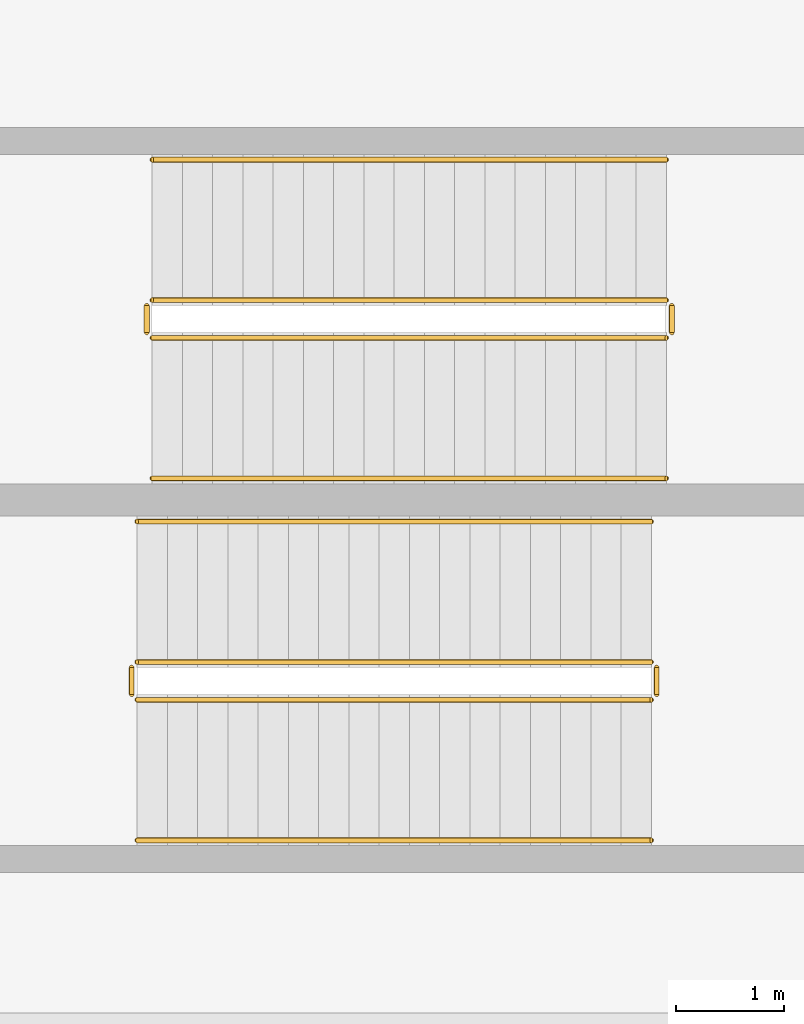
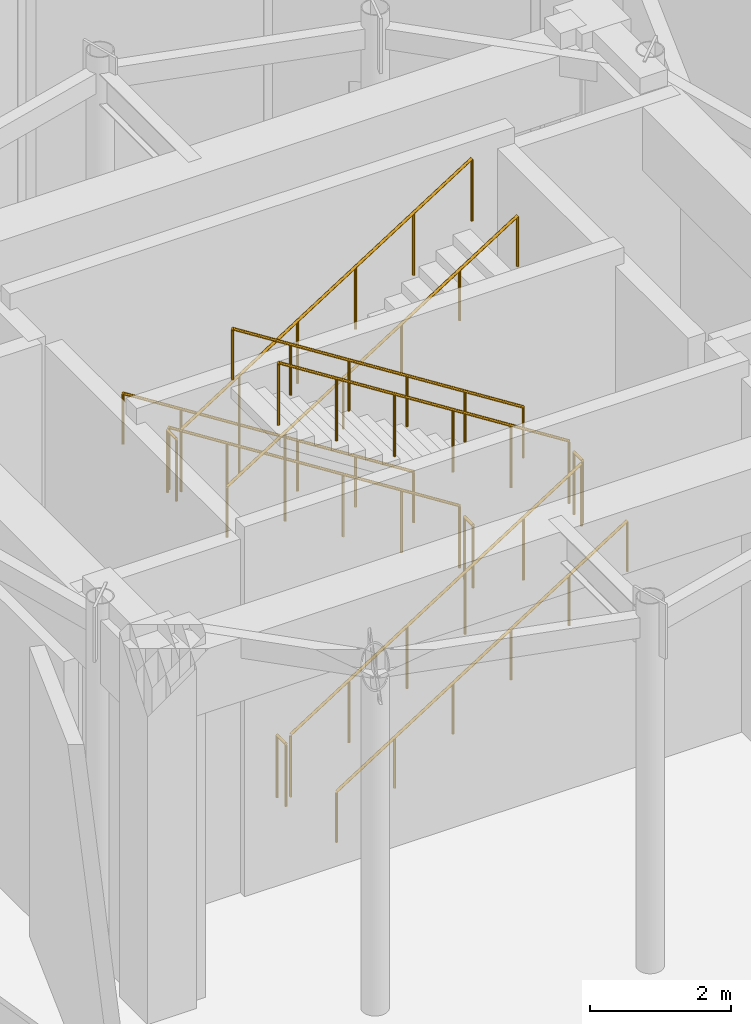
# One storey, part 9 of 9: 12 railings.
"""IFC4 building model written with IfcOpenShell, lengths in metres."""

from ifc_helpers import new_model, si_unit, direction, frame, origin, origin_2d, place, context, subcontext, project, spatial, circle, extrude, material, type_object, element, save


model = new_model("IFC4")

# Units and contexts
model_context = context("Model", 3, precision=1e-05, world=origin(), true_north=direction((0.0, 1.0)))
body_context = subcontext(model_context, "Body", "Model", "MODEL_VIEW")
ifc_project = project(units=[si_unit("LENGTHUNIT", "METRE"), si_unit("AREAUNIT", "SQUARE_METRE"), si_unit("VOLUMEUNIT", "CUBIC_METRE"), si_unit("PLANEANGLEUNIT", "RADIAN"), si_unit("MASSUNIT", "GRAM", prefix="KILO")], contexts=[model_context])

# Site, building, storey
site_placement = place(None, origin())
site = spatial("IfcSite", under=ifc_project, at=site_placement, CompositionType="ELEMENT")
building_placement = place(site_placement, origin())
building = spatial("IfcBuilding", under=site, at=building_placement, Name="Solvirekh Grand Hotel", CompositionType="ELEMENT")
storey_placement = place(building_placement, frame((0.0, 0.0, 314.60009765625)))
storey = spatial("IfcBuildingStorey", under=building, at=storey_placement, Name="L80", CompositionType="ELEMENT", Elevation=314.60009765625)

# Railings
ifc_material_1 = material(Name="Steel S355", Category="steel")
railing_type_1 = type_object("IfcRailingType", Name="Guard_Stair_1100", PredefinedType="GUARDRAIL", material=ifc_material_1)
railing_1_placement = place(storey_placement, frame((-2.449951171875, -1.85009765625, 0.177734375)))
element("IfcRailing", 1, at=railing_1_placement, inside=storey, type_object=railing_type_1, Name="L80 ST-1 stair guard 1", PredefinedType="GUARDRAIL", context=body_context, shape_type="SweptSolid", body=[
    extrude(circle(Radius=0.02392578125, at=origin_2d()), frame((0.0, 0.0, 1.076171875), z_axis=(0.844213748262, 0.0, 0.536006667166), x_axis=(0.0, 1.0, 0.0)), (0.0, 0.0, 1.0), 5.638427734375),
    extrude(circle(Radius=0.02099609375, at=origin_2d()), origin(), (0.0, 0.0, 1.0), 1.052001953125),
    extrude(circle(Radius=0.02099609375, at=origin_2d()), frame((0.951904296875, 0.0, 0.6044921875)), (0.0, 0.0, 1.0), 1.052001953125),
    extrude(circle(Radius=0.02099609375, at=origin_2d()), frame((1.904052734375, 0.0, 1.208984375)), (0.0, 0.0, 1.0), 1.052001953125),
    extrude(circle(Radius=0.02099609375, at=origin_2d()), frame((2.85595703125, 0.0, 1.813232421875)), (0.0, 0.0, 1.0), 1.052001953125),
    extrude(circle(Radius=0.02099609375, at=origin_2d()), frame((3.80810546875, 0.0, 2.417724609375)), (0.0, 0.0, 1.0), 1.052001953125),
    extrude(circle(Radius=0.02099609375, at=origin_2d()), frame((4.760009765625, 0.0, 3.022216796875)), (0.0, 0.0, 1.0), 1.052001953125),
])
railing_2_placement = place(storey_placement, frame((2.360107421875, -1.800048828125, 3.199951171875)))
element("IfcRailing", 2, at=railing_2_placement, inside=storey, type_object=railing_type_1, Name="L80 ST-1 stair guard 2", PredefinedType="GUARDRAIL", context=body_context, shape_type="SweptSolid", body=[
    extrude(circle(Radius=0.02392578125, at=origin_2d()), frame((0.0, 0.0, 1.076171875), z_axis=(0.0, 1.0, 0.0), x_axis=(-1.0, 0.0, 0.0)), (0.0, 0.0, 1.0), 0.25),
    extrude(circle(Radius=0.02099609375, at=origin_2d()), origin(), (0.0, 0.0, 1.0), 1.052001953125),
    extrude(circle(Radius=0.02099609375, at=origin_2d()), frame((0.0, 0.25, 0.0)), (0.0, 0.0, 1.0), 1.052001953125),
])
railing_3_placement = place(storey_placement, frame((2.31005859375, -1.5, 3.377685546875)))
element("IfcRailing", 3, at=railing_3_placement, inside=storey, type_object=railing_type_1, Name="L80 ST-1 stair guard 3", PredefinedType="GUARDRAIL", context=body_context, shape_type="SweptSolid", body=[
    extrude(circle(Radius=0.02392578125, at=origin_2d()), frame((0.0, 0.0, 1.076171875), z_axis=(-0.844213748262, 0.0, 0.536006667166), x_axis=(0.0, -1.0, 0.0)), (0.0, 0.0, 1.0), 5.638427734375),
    extrude(circle(Radius=0.02099609375, at=origin_2d()), origin(), (0.0, 0.0, 1.0), 1.052001953125),
    extrude(circle(Radius=0.02099609375, at=origin_2d()), frame((-0.951904296875, 0.0, 0.6044921875)), (0.0, 0.0, 1.0), 1.052001953125),
    extrude(circle(Radius=0.02099609375, at=origin_2d()), frame((-1.904052734375, 0.0, 1.208984375)), (0.0, 0.0, 1.0), 1.052001953125),
    extrude(circle(Radius=0.02099609375, at=origin_2d()), frame((-2.85595703125, 0.0, 1.813232421875)), (0.0, 0.0, 1.0), 1.052001953125),
    extrude(circle(Radius=0.02099609375, at=origin_2d()), frame((-3.80810546875, 0.0, 2.417724609375)), (0.0, 0.0, 1.0), 1.052001953125),
    extrude(circle(Radius=0.02099609375, at=origin_2d()), frame((-4.760009765625, 0.0, 3.022216796875)), (0.0, 0.0, 1.0), 1.052001953125),
])
railing_4_placement = place(storey_placement, frame((-2.5, -1.800048828125, 0.0)))
element("IfcRailing", 4, at=railing_4_placement, inside=storey, type_object=railing_type_1, Name="L80 ST-1 stair guard 4", PredefinedType="GUARDRAIL", context=body_context, shape_type="SweptSolid", body=[
    extrude(circle(Radius=0.02392578125, at=origin_2d()), frame((0.0, 0.0, 1.076171875), z_axis=(0.0, 1.0, 0.0), x_axis=(-1.0, 0.0, 0.0)), (0.0, 0.0, 1.0), 0.25),
    extrude(circle(Radius=0.02099609375, at=origin_2d()), origin(), (0.0, 0.0, 1.0), 1.052001953125),
    extrude(circle(Radius=0.02099609375, at=origin_2d()), frame((0.0, 0.25, 0.0)), (0.0, 0.0, 1.0), 1.052001953125),
])
railing_5_placement = place(storey_placement, frame((2.449951171875, 1.85009765625, 0.177734375)))
element("IfcRailing", 5, at=railing_5_placement, inside=storey, type_object=railing_type_1, Name="L80 ST-2 stair guard 1", PredefinedType="GUARDRAIL", context=body_context, shape_type="SweptSolid", body=[
    extrude(circle(Radius=0.02392578125, at=origin_2d()), frame((0.0, 0.0, 1.076171875), z_axis=(-0.844213748262, 0.0, 0.536006667166), x_axis=(0.0, -1.0, 0.0)), (0.0, 0.0, 1.0), 5.638427734375),
    extrude(circle(Radius=0.02099609375, at=origin_2d()), origin(), (0.0, 0.0, 1.0), 1.052001953125),
    extrude(circle(Radius=0.02099609375, at=origin_2d()), frame((-0.951904296875, 0.0, 0.6044921875)), (0.0, 0.0, 1.0), 1.052001953125),
    extrude(circle(Radius=0.02099609375, at=origin_2d()), frame((-1.904052734375, 0.0, 1.208984375)), (0.0, 0.0, 1.0), 1.052001953125),
    extrude(circle(Radius=0.02099609375, at=origin_2d()), frame((-2.85595703125, 0.0, 1.813232421875)), (0.0, 0.0, 1.0), 1.052001953125),
    extrude(circle(Radius=0.02099609375, at=origin_2d()), frame((-3.80810546875, 0.0, 2.417724609375)), (0.0, 0.0, 1.0), 1.052001953125),
    extrude(circle(Radius=0.02099609375, at=origin_2d()), frame((-4.760009765625, 0.0, 3.022216796875)), (0.0, 0.0, 1.0), 1.052001953125),
])
railing_6_placement = place(storey_placement, frame((-2.360107421875, 1.800048828125, 3.199951171875)))
element("IfcRailing", 6, at=railing_6_placement, inside=storey, type_object=railing_type_1, Name="L80 ST-2 stair guard 2", PredefinedType="GUARDRAIL", context=body_context, shape_type="SweptSolid", body=[
    extrude(circle(Radius=0.02392578125, at=origin_2d()), frame((0.0, 0.0, 1.076171875), z_axis=(0.0, -1.0, 0.0), x_axis=(1.0, 0.0, 0.0)), (0.0, 0.0, 1.0), 0.25),
    extrude(circle(Radius=0.02099609375, at=origin_2d()), origin(), (0.0, 0.0, 1.0), 1.052001953125),
    extrude(circle(Radius=0.02099609375, at=origin_2d()), frame((0.0, -0.25, 0.0)), (0.0, 0.0, 1.0), 1.052001953125),
])
railing_7_placement = place(storey_placement, frame((-2.31005859375, 1.5, 3.377685546875)))
element("IfcRailing", 7, at=railing_7_placement, inside=storey, type_object=railing_type_1, Name="L80 ST-2 stair guard 3", PredefinedType="GUARDRAIL", context=body_context, shape_type="SweptSolid", body=[
    extrude(circle(Radius=0.02392578125, at=origin_2d()), frame((0.0, 0.0, 1.076171875), z_axis=(0.844213748262, 0.0, 0.536006667166), x_axis=(0.0, 1.0, 0.0)), (0.0, 0.0, 1.0), 5.638427734375),
    extrude(circle(Radius=0.02099609375, at=origin_2d()), origin(), (0.0, 0.0, 1.0), 1.052001953125),
    extrude(circle(Radius=0.02099609375, at=origin_2d()), frame((0.951904296875, 0.0, 0.6044921875)), (0.0, 0.0, 1.0), 1.052001953125),
    extrude(circle(Radius=0.02099609375, at=origin_2d()), frame((1.904052734375, 0.0, 1.208984375)), (0.0, 0.0, 1.0), 1.052001953125),
    extrude(circle(Radius=0.02099609375, at=origin_2d()), frame((2.85595703125, 0.0, 1.813232421875)), (0.0, 0.0, 1.0), 1.052001953125),
    extrude(circle(Radius=0.02099609375, at=origin_2d()), frame((3.80810546875, 0.0, 2.417724609375)), (0.0, 0.0, 1.0), 1.052001953125),
    extrude(circle(Radius=0.02099609375, at=origin_2d()), frame((4.760009765625, 0.0, 3.022216796875)), (0.0, 0.0, 1.0), 1.052001953125),
])
railing_8_placement = place(storey_placement, frame((2.5, 1.800048828125, 0.0)))
element("IfcRailing", 8, at=railing_8_placement, inside=storey, type_object=railing_type_1, Name="L80 ST-2 stair guard 4", PredefinedType="GUARDRAIL", context=body_context, shape_type="SweptSolid", body=[
    extrude(circle(Radius=0.02392578125, at=origin_2d()), frame((0.0, 0.0, 1.076171875), z_axis=(0.0, -1.0, 0.0), x_axis=(1.0, 0.0, 0.0)), (0.0, 0.0, 1.0), 0.25),
    extrude(circle(Radius=0.02099609375, at=origin_2d()), origin(), (0.0, 0.0, 1.0), 1.052001953125),
    extrude(circle(Radius=0.02099609375, at=origin_2d()), frame((0.0, -0.25, 0.0)), (0.0, 0.0, 1.0), 1.052001953125),
])
ifc_material_2 = material(Name="Anodized Bronze Aluminium 6063-T6", Category="aluminium")
railing_type_2 = type_object("IfcRailingType", Name="Handrail_Wall_900", PredefinedType="HANDRAIL", material=ifc_material_2)
railing_9_placement = place(storey_placement, frame((-2.449951171875, -3.14990234375, 0.177734375)))
element("IfcRailing", 9, at=railing_9_placement, inside=storey, type_object=railing_type_2, Name="L80 ST-1 stair handrail 1", PredefinedType="HANDRAIL", context=body_context, shape_type="SweptSolid", body=[
    extrude(circle(Radius=0.02392578125, at=origin_2d()), frame((0.0, 0.0, 0.8759765625), z_axis=(0.844213748262, 0.0, 0.536006667166), x_axis=(0.0, 1.0, 0.0)), (0.0, 0.0, 1.0), 5.638427734375),
    extrude(circle(Radius=0.02099609375, at=origin_2d()), origin(), (0.0, 0.0, 1.0), 0.851806640625),
    extrude(circle(Radius=0.02099609375, at=origin_2d()), frame((0.951904296875, 0.0, 0.6044921875)), (0.0, 0.0, 1.0), 0.851806640625),
    extrude(circle(Radius=0.02099609375, at=origin_2d()), frame((1.904052734375, 0.0, 1.208984375)), (0.0, 0.0, 1.0), 0.851806640625),
    extrude(circle(Radius=0.02099609375, at=origin_2d()), frame((2.85595703125, 0.0, 1.813232421875)), (0.0, 0.0, 1.0), 0.851806640625),
    extrude(circle(Radius=0.02099609375, at=origin_2d()), frame((3.80810546875, 0.0, 2.417724609375)), (0.0, 0.0, 1.0), 0.851806640625),
    extrude(circle(Radius=0.02099609375, at=origin_2d()), frame((4.760009765625, 0.0, 3.022216796875)), (0.0, 0.0, 1.0), 0.851806640625),
])
for number, where, name in (
    (10, (2.31005859375, -0.199951171875, 3.377685546875), "L80 ST-1 stair handrail 2"),
    (11, (2.449951171875, 3.14990234375, 0.177734375), "L80 ST-2 stair handrail 1"),
):
    element("IfcRailing", number, at=place(storey_placement, frame(where)), inside=storey, type_object=railing_type_2, Name=name, PredefinedType="HANDRAIL", context=body_context, shape_type="SweptSolid", body=[
        extrude(circle(Radius=0.02392578125, at=origin_2d()), frame((0.0, 0.0, 0.8759765625), z_axis=(-0.844213748262, 0.0, 0.536006667166), x_axis=(0.0, -1.0, 0.0)), (0.0, 0.0, 1.0), 5.638427734375),
        extrude(circle(Radius=0.02099609375, at=origin_2d()), origin(), (0.0, 0.0, 1.0), 0.851806640625),
        extrude(circle(Radius=0.02099609375, at=origin_2d()), frame((-0.951904296875, 0.0, 0.6044921875)), (0.0, 0.0, 1.0), 0.851806640625),
        extrude(circle(Radius=0.02099609375, at=origin_2d()), frame((-1.904052734375, 0.0, 1.208984375)), (0.0, 0.0, 1.0), 0.851806640625),
        extrude(circle(Radius=0.02099609375, at=origin_2d()), frame((-2.85595703125, 0.0, 1.813232421875)), (0.0, 0.0, 1.0), 0.851806640625),
        extrude(circle(Radius=0.02099609375, at=origin_2d()), frame((-3.80810546875, 0.0, 2.417724609375)), (0.0, 0.0, 1.0), 0.851806640625),
        extrude(circle(Radius=0.02099609375, at=origin_2d()), frame((-4.760009765625, 0.0, 3.022216796875)), (0.0, 0.0, 1.0), 0.851806640625),
    ])
railing_10_placement = place(storey_placement, frame((-2.31005859375, 0.199951171875, 3.377685546875)))
element("IfcRailing", 12, at=railing_10_placement, inside=storey, type_object=railing_type_2, Name="L80 ST-2 stair handrail 2", PredefinedType="HANDRAIL", context=body_context, shape_type="SweptSolid", body=[
    extrude(circle(Radius=0.02392578125, at=origin_2d()), frame((0.0, 0.0, 0.8759765625), z_axis=(0.844213748262, 0.0, 0.536006667166), x_axis=(0.0, 1.0, 0.0)), (0.0, 0.0, 1.0), 5.638427734375),
    extrude(circle(Radius=0.02099609375, at=origin_2d()), origin(), (0.0, 0.0, 1.0), 0.851806640625),
    extrude(circle(Radius=0.02099609375, at=origin_2d()), frame((0.951904296875, 0.0, 0.6044921875)), (0.0, 0.0, 1.0), 0.851806640625),
    extrude(circle(Radius=0.02099609375, at=origin_2d()), frame((1.904052734375, 0.0, 1.208984375)), (0.0, 0.0, 1.0), 0.851806640625),
    extrude(circle(Radius=0.02099609375, at=origin_2d()), frame((2.85595703125, 0.0, 1.813232421875)), (0.0, 0.0, 1.0), 0.851806640625),
    extrude(circle(Radius=0.02099609375, at=origin_2d()), frame((3.80810546875, 0.0, 2.417724609375)), (0.0, 0.0, 1.0), 0.851806640625),
    extrude(circle(Radius=0.02099609375, at=origin_2d()), frame((4.760009765625, 0.0, 3.022216796875)), (0.0, 0.0, 1.0), 0.851806640625),
])

save(model, "model.ifc")
